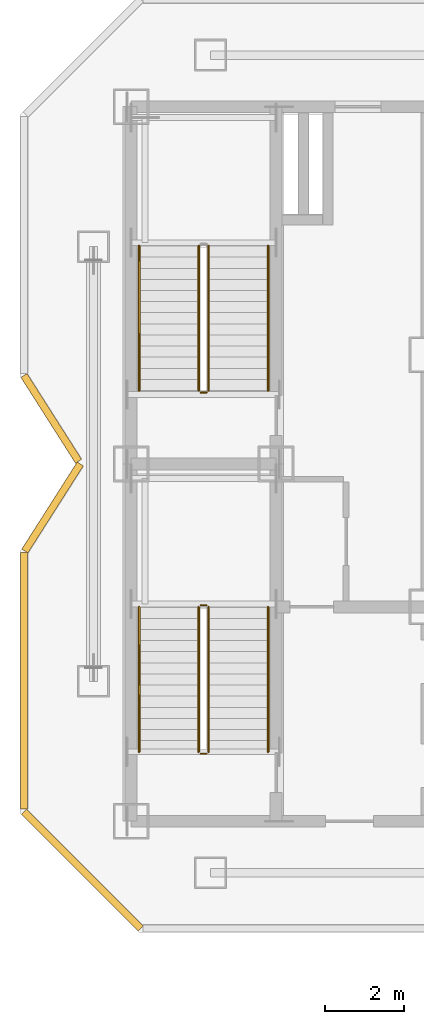
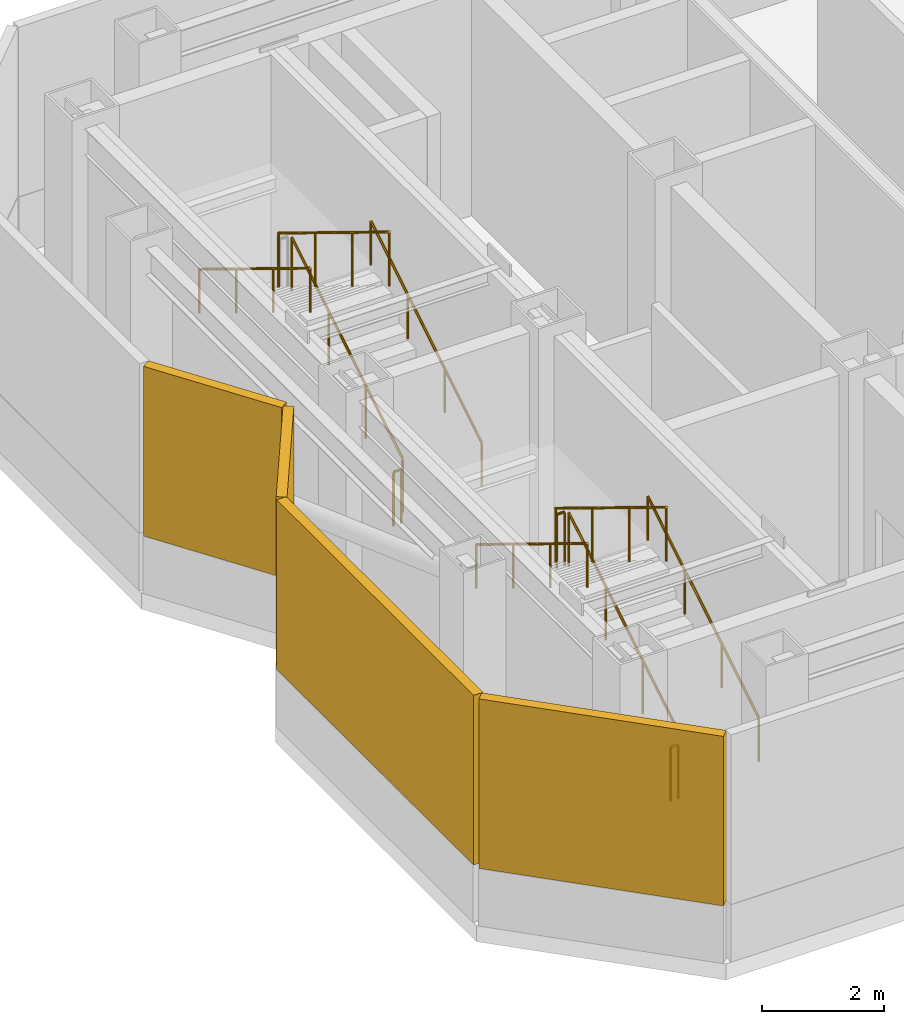
# One storey, part 7 of 10: 11 railings, 4 shading devices.
"""IFC4 building model written with IfcOpenShell, lengths in metres."""

from ifc_helpers import new_model, si_unit, direction, frame, origin, origin_2d, place, context, subcontext, project, spatial, rectangle, circle, extrude, material, type_object, element, save


model = new_model("IFC4")

# Units and contexts
model_context = context("Model", 3, precision=1e-05, world=origin(), true_north=direction((0.0, 1.0)))
body_context = subcontext(model_context, "Body", "Model", "MODEL_VIEW")
ifc_project = project(units=[si_unit("LENGTHUNIT", "METRE"), si_unit("AREAUNIT", "SQUARE_METRE"), si_unit("VOLUMEUNIT", "CUBIC_METRE"), si_unit("PLANEANGLEUNIT", "RADIAN"), si_unit("MASSUNIT", "GRAM", prefix="KILO")], contexts=[model_context])

# Site, building, storey
site_placement = place(None, origin())
site = spatial("IfcSite", under=ifc_project, at=site_placement, CompositionType="ELEMENT")
building_placement = place(site_placement, origin())
building = spatial("IfcBuilding", under=site, at=building_placement, Name="Khamvora Tower", CompositionType="ELEMENT")
storey_placement = place(building_placement, frame((0.0, 0.0, 303.050048828125)))
storey = spatial("IfcBuildingStorey", under=building, at=storey_placement, Name="L77", CompositionType="ELEMENT", Elevation=303.050048828125)

# Railings
ifc_material_1 = material(Name="Brushed Stainless Steel 316", Category="steel")
railing_type_1 = type_object("IfcRailingType", Name="RAL-HDR-920", PredefinedType="HANDRAIL", material=ifc_material_1)
railing_1_placement = place(storey_placement, frame((32.449951171875, 20.75, 0.17138671875)))
element("IfcRailing", 1, at=railing_1_placement, inside=storey, type_object=railing_type_1, Name="L77 ST-01 stair handrail 1", PredefinedType="HANDRAIL", context=body_context, shape_type="SweptSolid", body=[
    extrude(circle(Radius=0.02392578125, at=origin_2d()), frame((0.0, 0.0, 0.8759765625), z_axis=(0.0, 0.852850264322, 0.5221555579), x_axis=(-1.0, 0.0, 0.0)), (0.0, 0.0, 1.0), 4.267822265625),
    extrude(circle(Radius=0.02099609375, at=origin_2d()), origin(), (0.0, 0.0, 1.0), 0.851806640625),
    extrude(circle(Radius=0.02099609375, at=origin_2d()), frame((0.0, 1.21337890625, 0.742919921875)), (0.0, 0.0, 1.0), 0.851806640625),
    extrude(circle(Radius=0.02099609375, at=origin_2d()), frame((0.0, 2.426513671875, 1.485595703125)), (0.0, 0.0, 1.0), 0.851806640625),
    extrude(circle(Radius=0.02099609375, at=origin_2d()), frame((0.0, 3.639892578125, 2.228515625)), (0.0, 0.0, 1.0), 0.851806640625),
])
railing_2_placement = place(storey_placement, frame((29.199951171875, 24.389892578125, 2.5712890625)))
element("IfcRailing", 2, at=railing_2_placement, inside=storey, type_object=railing_type_1, Name="L77 ST-01 stair handrail 2", PredefinedType="HANDRAIL", context=body_context, shape_type="SweptSolid", body=[
    extrude(circle(Radius=0.02392578125, at=origin_2d()), frame((0.0, 0.0, 0.8759765625), z_axis=(0.0, -0.852824790078, 0.522197163366), x_axis=(1.0, 0.0, 0.0)), (0.0, 0.0, 1.0), 4.26806640625),
    extrude(circle(Radius=0.02099609375, at=origin_2d()), origin(), (0.0, 0.0, 1.0), 0.851806640625),
    extrude(circle(Radius=0.02099609375, at=origin_2d()), frame((0.0, -1.21337890625, 0.742919921875)), (0.0, 0.0, 1.0), 0.851806640625),
    extrude(circle(Radius=0.02099609375, at=origin_2d()), frame((0.0, -2.426513671875, 1.48583984375)), (0.0, 0.0, 1.0), 0.851806640625),
    extrude(circle(Radius=0.02099609375, at=origin_2d()), frame((0.0, -3.639892578125, 2.228759765625)), (0.0, 0.0, 1.0), 0.851806640625),
])
railing_3_placement = place(storey_placement, frame((32.449951171875, 29.85009765625, 0.17138671875)))
element("IfcRailing", 3, at=railing_3_placement, inside=storey, type_object=railing_type_1, Name="L77 ST-02 stair handrail 1", PredefinedType="HANDRAIL", context=body_context, shape_type="SweptSolid", body=[
    extrude(circle(Radius=0.02392578125, at=origin_2d()), frame((0.0, 0.0, 0.8759765625), z_axis=(0.0, 0.852850264322, 0.5221555579), x_axis=(-1.0, 0.0, 0.0)), (0.0, 0.0, 1.0), 4.267822265625),
    extrude(circle(Radius=0.02099609375, at=origin_2d()), origin(), (0.0, 0.0, 1.0), 0.851806640625),
    extrude(circle(Radius=0.02099609375, at=origin_2d()), frame((0.0, 1.21337890625, 0.742919921875)), (0.0, 0.0, 1.0), 0.851806640625),
    extrude(circle(Radius=0.02099609375, at=origin_2d()), frame((0.0, 2.426513671875, 1.485595703125)), (0.0, 0.0, 1.0), 0.851806640625),
    extrude(circle(Radius=0.02099609375, at=origin_2d()), frame((0.0, 3.639892578125, 2.228515625)), (0.0, 0.0, 1.0), 0.851806640625),
])
railing_4_placement = place(storey_placement, frame((29.199951171875, 33.489990234375, 2.5712890625)))
element("IfcRailing", 4, at=railing_4_placement, inside=storey, type_object=railing_type_1, Name="L77 ST-02 stair handrail 2", PredefinedType="HANDRAIL", context=body_context, shape_type="SweptSolid", body=[
    extrude(circle(Radius=0.02392578125, at=origin_2d()), frame((0.0, 0.0, 0.8759765625), z_axis=(0.0, -0.852824790078, 0.522197163366), x_axis=(1.0, 0.0, 0.0)), (0.0, 0.0, 1.0), 4.26806640625),
    extrude(circle(Radius=0.02099609375, at=origin_2d()), origin(), (0.0, 0.0, 1.0), 0.851806640625),
    extrude(circle(Radius=0.02099609375, at=origin_2d()), frame((0.0, -1.21337890625, 0.742919921875)), (0.0, 0.0, 1.0), 0.851806640625),
    extrude(circle(Radius=0.02099609375, at=origin_2d()), frame((0.0, -2.426513671875, 1.48583984375)), (0.0, 0.0, 1.0), 0.851806640625),
    extrude(circle(Radius=0.02099609375, at=origin_2d()), frame((0.0, -3.639892578125, 2.228759765625)), (0.0, 0.0, 1.0), 0.851806640625),
])
ifc_material_2 = material(Name="Stainless Steel 316", Category="steel")
railing_type_2 = type_object("IfcRailingType", Name="RAL-STG-1100", PredefinedType="GUARDRAIL", material=ifc_material_2)
railing_5_placement = place(storey_placement, frame((30.949951171875, 20.75, 0.17138671875)))
element("IfcRailing", 5, at=railing_5_placement, inside=storey, type_object=railing_type_2, Name="L77 ST-01 stair guard 1", PredefinedType="GUARDRAIL", context=body_context, shape_type="SweptSolid", body=[
    extrude(circle(Radius=0.02392578125, at=origin_2d()), frame((0.0, 0.0, 1.076171875), z_axis=(0.0, 0.852850264322, 0.5221555579), x_axis=(-1.0, 0.0, 0.0)), (0.0, 0.0, 1.0), 4.267822265625),
    extrude(circle(Radius=0.02099609375, at=origin_2d()), origin(), (0.0, 0.0, 1.0), 1.052001953125),
    extrude(circle(Radius=0.02099609375, at=origin_2d()), frame((0.0, 1.21337890625, 0.742919921875)), (0.0, 0.0, 1.0), 1.052001953125),
    extrude(circle(Radius=0.02099609375, at=origin_2d()), frame((0.0, 2.426513671875, 1.485595703125)), (0.0, 0.0, 1.0), 1.052001953125),
    extrude(circle(Radius=0.02099609375, at=origin_2d()), frame((0.0, 3.639892578125, 2.228515625)), (0.0, 0.0, 1.0), 1.052001953125),
])
railing_6_placement = place(storey_placement, frame((30.89990234375, 24.43994140625, 2.39990234375)))
element("IfcRailing", 6, at=railing_6_placement, inside=storey, type_object=railing_type_2, Name="L77 ST-01 stair guard 2", PredefinedType="GUARDRAIL", context=body_context, shape_type="SweptSolid", body=[
    extrude(circle(Radius=0.02392578125, at=origin_2d()), frame((0.0, 0.0, 1.076171875), z_axis=(-1.0, 0.0, 0.0), x_axis=(0.0, -1.0, 0.0)), (0.0, 0.0, 1.0), 0.14990234375),
    extrude(circle(Radius=0.02099609375, at=origin_2d()), origin(), (0.0, 0.0, 1.0), 1.052001953125),
    extrude(circle(Radius=0.02099609375, at=origin_2d()), frame((-0.14990234375, 0.0, 0.0)), (0.0, 0.0, 1.0), 1.052001953125),
])
railing_7_placement = place(storey_placement, frame((30.699951171875, 24.389892578125, 2.5712890625)))
element("IfcRailing", 7, at=railing_7_placement, inside=storey, type_object=railing_type_2, Name="L77 ST-01 stair guard 3", PredefinedType="GUARDRAIL", context=body_context, shape_type="SweptSolid", body=[
    extrude(circle(Radius=0.02392578125, at=origin_2d()), frame((0.0, 0.0, 1.076171875), z_axis=(0.0, -0.852824790078, 0.522197163366), x_axis=(1.0, 0.0, 0.0)), (0.0, 0.0, 1.0), 4.26806640625),
    extrude(circle(Radius=0.02099609375, at=origin_2d()), origin(), (0.0, 0.0, 1.0), 1.052001953125),
    extrude(circle(Radius=0.02099609375, at=origin_2d()), frame((0.0, -1.21337890625, 0.742919921875)), (0.0, 0.0, 1.0), 1.052001953125),
    extrude(circle(Radius=0.02099609375, at=origin_2d()), frame((0.0, -2.426513671875, 1.48583984375)), (0.0, 0.0, 1.0), 1.052001953125),
    extrude(circle(Radius=0.02099609375, at=origin_2d()), frame((0.0, -3.639892578125, 2.228759765625)), (0.0, 0.0, 1.0), 1.052001953125),
])
railing_8_placement = place(storey_placement, frame((30.89990234375, 20.699951171875, 0.0)))
element("IfcRailing", 8, at=railing_8_placement, inside=storey, type_object=railing_type_2, Name="L77 ST-01 stair guard 4", PredefinedType="GUARDRAIL", context=body_context, shape_type="SweptSolid", body=[
    extrude(circle(Radius=0.02392578125, at=origin_2d()), frame((0.0, 0.0, 1.076171875), z_axis=(-1.0, 0.0, 0.0), x_axis=(0.0, -1.0, 0.0)), (0.0, 0.0, 1.0), 0.14990234375),
    extrude(circle(Radius=0.02099609375, at=origin_2d()), origin(), (0.0, 0.0, 1.0), 1.052001953125),
    extrude(circle(Radius=0.02099609375, at=origin_2d()), frame((-0.14990234375, 0.0, 0.0)), (0.0, 0.0, 1.0), 1.052001953125),
])
railing_9_placement = place(storey_placement, frame((30.949951171875, 29.85009765625, 0.17138671875)))
element("IfcRailing", 9, at=railing_9_placement, inside=storey, type_object=railing_type_2, Name="L77 ST-02 stair guard 1", PredefinedType="GUARDRAIL", context=body_context, shape_type="SweptSolid", body=[
    extrude(circle(Radius=0.02392578125, at=origin_2d()), frame((0.0, 0.0, 1.076171875), z_axis=(0.0, 0.852850264322, 0.5221555579), x_axis=(-1.0, 0.0, 0.0)), (0.0, 0.0, 1.0), 4.267822265625),
    extrude(circle(Radius=0.02099609375, at=origin_2d()), origin(), (0.0, 0.0, 1.0), 1.052001953125),
    extrude(circle(Radius=0.02099609375, at=origin_2d()), frame((0.0, 1.21337890625, 0.742919921875)), (0.0, 0.0, 1.0), 1.052001953125),
    extrude(circle(Radius=0.02099609375, at=origin_2d()), frame((0.0, 2.426513671875, 1.485595703125)), (0.0, 0.0, 1.0), 1.052001953125),
    extrude(circle(Radius=0.02099609375, at=origin_2d()), frame((0.0, 3.639892578125, 2.228515625)), (0.0, 0.0, 1.0), 1.052001953125),
])
railing_10_placement = place(storey_placement, frame((30.699951171875, 33.489990234375, 2.5712890625)))
element("IfcRailing", 10, at=railing_10_placement, inside=storey, type_object=railing_type_2, Name="L77 ST-02 stair guard 3", PredefinedType="GUARDRAIL", context=body_context, shape_type="SweptSolid", body=[
    extrude(circle(Radius=0.02392578125, at=origin_2d()), frame((0.0, 0.0, 1.076171875), z_axis=(0.0, -0.852824790078, 0.522197163366), x_axis=(1.0, 0.0, 0.0)), (0.0, 0.0, 1.0), 4.26806640625),
    extrude(circle(Radius=0.02099609375, at=origin_2d()), origin(), (0.0, 0.0, 1.0), 1.052001953125),
    extrude(circle(Radius=0.02099609375, at=origin_2d()), frame((0.0, -1.21337890625, 0.742919921875)), (0.0, 0.0, 1.0), 1.052001953125),
    extrude(circle(Radius=0.02099609375, at=origin_2d()), frame((0.0, -2.426513671875, 1.48583984375)), (0.0, 0.0, 1.0), 1.052001953125),
    extrude(circle(Radius=0.02099609375, at=origin_2d()), frame((0.0, -3.639892578125, 2.228759765625)), (0.0, 0.0, 1.0), 1.052001953125),
])
railing_11_placement = place(storey_placement, frame((30.89990234375, 29.800048828125, 0.0)))
element("IfcRailing", 11, at=railing_11_placement, inside=storey, type_object=railing_type_2, Name="L77 ST-02 stair guard 4", PredefinedType="GUARDRAIL", context=body_context, shape_type="SweptSolid", body=[
    extrude(circle(Radius=0.02392578125, at=origin_2d()), frame((0.0, 0.0, 1.076171875), z_axis=(-1.0, 0.0, 0.0), x_axis=(0.0, -1.0, 0.0)), (0.0, 0.0, 1.0), 0.14990234375),
    extrude(circle(Radius=0.02099609375, at=origin_2d()), origin(), (0.0, 0.0, 1.0), 1.052001953125),
    extrude(circle(Radius=0.02099609375, at=origin_2d()), frame((-0.14990234375, 0.0, 0.0)), (0.0, 0.0, 1.0), 1.052001953125),
])

# Shading devices
ifc_material_3 = material(Name="Pale Anodised Aluminium 6063-T6", Category="aluminium")
shading_device_type = type_object("IfcShadingDeviceType", Name="SHD-LVR-150", PredefinedType="JALOUSIE", material=ifc_material_3)
shading_device_1_placement = place(storey_placement, frame((27.77001953125, 17.77001953125, 1.14990234375), z_axis=(0.0, 0.0, 1.0), x_axis=(-0.707106781187, 0.707106781187, 0.0)))
element("IfcShadingDevice", 12, at=shading_device_1_placement, inside=storey, type_object=shading_device_type, Name="L77 mechanical weather louvre 01.1", PredefinedType="JALOUSIE", context=body_context, shape_type="SweptSolid", body=[
    extrude(rectangle(XDim=4.158935546875, YDim=0.179931640625, at=origin_2d()), origin(), (0.0, 0.0, 1.0), 3.39990234375),
])
shading_device_2_placement = place(storey_placement, frame((26.300048828125, 22.5380859375, 1.14990234375), z_axis=(0.0, 0.0, 1.0), x_axis=(0.0, 1.0, 0.0)))
element("IfcShadingDevice", 13, at=shading_device_2_placement, inside=storey, type_object=shading_device_type, Name="L77 mechanical weather louvre 02.1", PredefinedType="JALOUSIE", context=body_context, shape_type="SweptSolid", body=[
    extrude(rectangle(XDim=6.467041015625, YDim=0.179931640625, at=origin_2d()), origin(), (0.0, 0.0, 1.0), 3.39990234375),
])
shading_device_3_placement = place(storey_placement, frame((27.02099609375, 26.904052734375, 1.14990234375), z_axis=(0.0, 0.0, 1.0), x_axis=(0.537022412207, 0.843567975203, 0.0)))
element("IfcShadingDevice", 14, at=shading_device_3_placement, inside=storey, type_object=shading_device_type, Name="L77 mechanical weather louvre 03.1", PredefinedType="JALOUSIE", context=body_context, shape_type="SweptSolid", body=[
    extrude(rectangle(XDim=2.59912109375, YDim=0.179931640625, at=origin_2d()), origin(), (0.0, 0.0, 1.0), 3.39990234375),
])
shading_device_4_placement = place(storey_placement, frame((26.988037109375, 29.14794921875, 1.14990234375), z_axis=(0.0, 0.0, 1.0), x_axis=(-0.537022412207, 0.843567975203, 0.0)))
element("IfcShadingDevice", 15, at=shading_device_4_placement, inside=storey, type_object=shading_device_type, Name="L77 mechanical weather louvre 04.1", PredefinedType="JALOUSIE", context=body_context, shape_type="SweptSolid", body=[
    extrude(rectangle(XDim=2.56103515625, YDim=0.179931640625, at=origin_2d()), origin(), (0.0, 0.0, 1.0), 3.39990234375),
])

save(model, "model.ifc")
